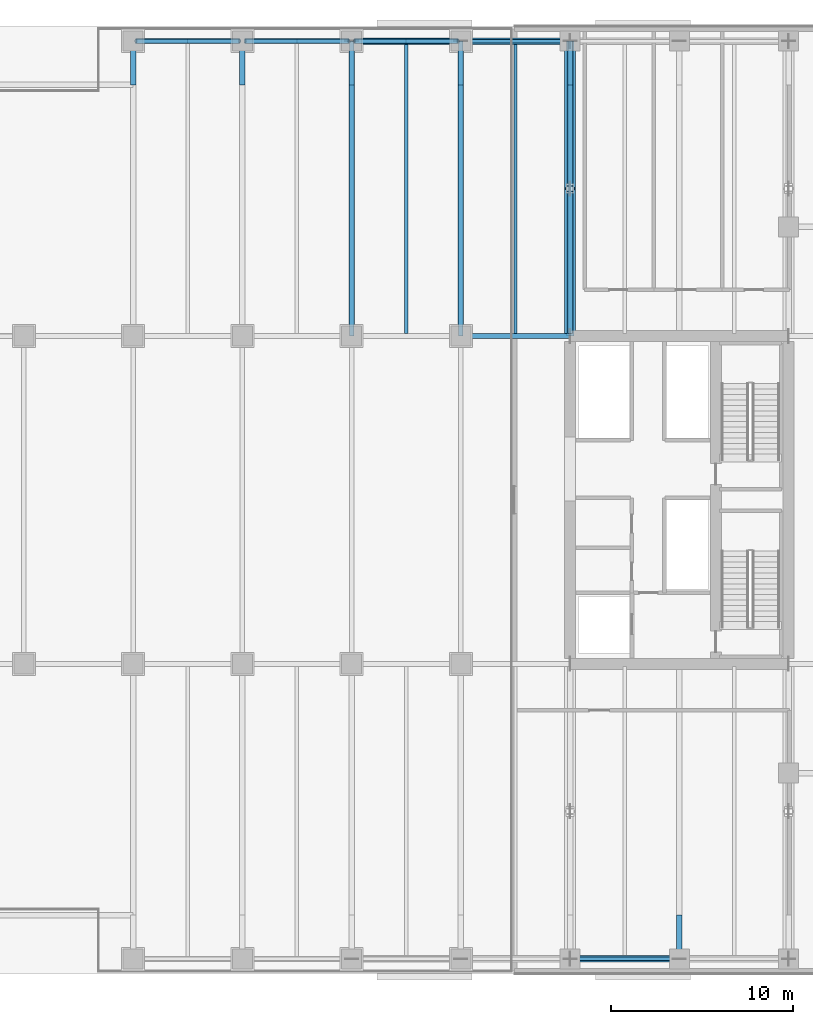
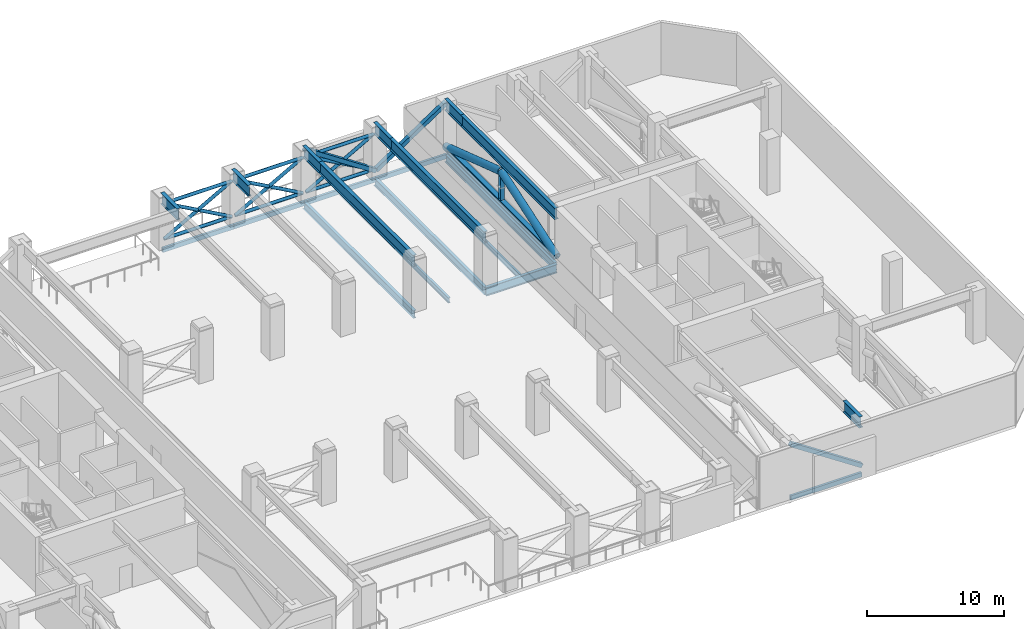
# One storey, part 5 of 22: 20 beams, 19 members.
"""IFC4 building model written with IfcOpenShell, lengths in metres."""

from ifc_helpers import new_model, si_unit, direction, frame, origin, origin_2d, place, context, subcontext, project, spatial, hollow_rectangle, hollow_circle, i_section, extrude, material, material_profile, profile_set, type_object, element, save


model = new_model("IFC4")

# Units and contexts
model_context = context("Model", 3, precision=1e-05, world=origin(), true_north=direction((0.0, 1.0)))
body_context = subcontext(model_context, "Body", "Model", "MODEL_VIEW")
ifc_project = project(units=[si_unit("LENGTHUNIT", "METRE"), si_unit("AREAUNIT", "SQUARE_METRE"), si_unit("VOLUMEUNIT", "CUBIC_METRE"), si_unit("PLANEANGLEUNIT", "RADIAN"), si_unit("MASSUNIT", "GRAM", prefix="KILO")], contexts=[model_context])

# Site, building, storey
site_placement = place(None, origin())
site = spatial("IfcSite", under=ifc_project, at=site_placement, CompositionType="ELEMENT")
building_placement = place(site_placement, origin())
building = spatial("IfcBuilding", under=site, at=building_placement, Name="Tanjung Sevakor Pilgrim Tower", CompositionType="ELEMENT")
storey_placement = place(building_placement, frame((0.0, 0.0, 73.260009765625)))
storey = spatial("IfcBuildingStorey", under=building, at=storey_placement, Name="L20", CompositionType="ELEMENT", Elevation=73.260009765625)

# Beams
ifc_material_1 = material(Name="Steel S355J2", Category="steel")
ifc_material_profile_1 = material_profile(ifc_material_1, i_section(OverallWidth=0.26806640625, OverallDepth=0.769775390625, WebThickness=0.015625, FlangeThickness=0.025390625, FilletRadius=0.0166015625, at=origin_2d()))
ifc_profile_set_1 = profile_set([ifc_material_profile_1], Name="Steel S355J2")
beam_type_1 = type_object("IfcBeamType", Name="BM-B-G1-UB_762x267x197", PredefinedType="BEAM", material=ifc_profile_set_1)
beam_1_placement = place(storey_placement, frame((72.0, 42.60009765625, -0.664794921875), z_axis=(1.0, 0.0, 0.0), x_axis=(0.0, 1.0, 0.0)))
element("IfcBeam", 1, at=beam_1_placement, inside=storey, type_object=beam_type_1, Name="L20 Primary Floor Girder MAIN Y426-08", PredefinedType="BEAM", context=body_context, shape_type="SweptSolid", body=[
    extrude(i_section(OverallWidth=0.26806640625, OverallDepth=0.769775390625, WebThickness=0.015625, FlangeThickness=0.025390625, FilletRadius=0.0166015625, at=origin_2d()), origin(), (0.0, 0.0, 1.0), 6.0),
])
ifc_material_2 = material(Name="Steel S355J2", Category="steel")
ifc_material_profile_2 = material_profile(ifc_material_2, i_section(OverallWidth=0.25439453125, OverallDepth=0.6875, WebThickness=0.01318359375, FlangeThickness=0.02099609375, FilletRadius=0.01513671875, at=origin_2d()))
ifc_profile_set_2 = profile_set([ifc_material_profile_2], Name="Steel S355J2")
beam_type_2 = type_object("IfcBeamType", Name="BM-B-G2-UB_686x254x152", PredefinedType="BEAM", material=ifc_profile_set_2)
for number, where, z_axis, x_axis, name in (
    (2, (66.0, 42.60009765625, -0.623779296875), (0.0, 1.0, 0.0), (-1.0, 0.0, 0.0), "L20 MAIN Girder 029"),
    (3, (72.0, 42.60009765625, -0.623779296875), (0.0, 1.0, 0.0), (-1.0, 0.0, 0.0), "L20 MAIN Girder 034"),
):
    element("IfcBeam", number, at=place(storey_placement, frame(where, z_axis=z_axis, x_axis=x_axis)), inside=storey, type_object=beam_type_2, Name=name, PredefinedType="BEAM", context=body_context, shape_type="SweptSolid", body=[
        extrude(i_section(OverallWidth=0.25439453125, OverallDepth=0.6875, WebThickness=0.01318359375, FlangeThickness=0.02099609375, FilletRadius=0.01513671875, at=origin_2d()), origin(), (0.0, 0.0, 1.0), 16.199951171875),
    ])
beam_2_placement = place(storey_placement, frame((78.0, 42.73388671875, -0.623779296875), z_axis=(0.0, 1.0, 0.0), x_axis=(-1.0, 0.0, 0.0)))
element("IfcBeam", 4, at=beam_2_placement, inside=storey, type_object=beam_type_2, Name="L20 MAIN Girder 038", PredefinedType="BEAM", context=body_context, shape_type="SweptSolid", body=[
    extrude(i_section(OverallWidth=0.25439453125, OverallDepth=0.6875, WebThickness=0.01318359375, FlangeThickness=0.02099609375, FilletRadius=0.01513671875, at=origin_2d()), origin(), (0.0, 0.0, 1.0), 16.066162109375),
])
ifc_material_3 = material(Name="Steel S460M", Category="steel")
ifc_material_profile_3 = material_profile(ifc_material_3, i_section(OverallWidth=0.302001953125, OverallDepth=1.008056640625, WebThickness=0.02099609375, FlangeThickness=0.0400390625, FilletRadius=0.030029296875, at=origin_2d()))
ifc_profile_set_3 = profile_set([ifc_material_profile_3], Name="Steel S460M")
beam_type_3 = type_object("IfcBeamType", Name="BM-B-G7-HE_1000M", PredefinedType="BEAM", material=ifc_profile_set_3)
for number, where, z_axis, x_axis, name in (
    (5, (54.0, 56.39990234375, 4.166015625), (0.0, 1.0, 0.0), (-1.0, 0.0, 0.0), "L20 Setback Transfer Girder North X54-2"),
    (6, (60.0, 56.39990234375, 4.166015625), (0.0, 1.0, 0.0), (-1.0, 0.0, 0.0), "L20 Setback Transfer Girder North X60-2"),
):
    element("IfcBeam", number, at=place(storey_placement, frame(where, z_axis=z_axis, x_axis=x_axis)), inside=storey, type_object=beam_type_3, Name=name, PredefinedType="BEAM", context=body_context, shape_type="SweptSolid", body=[
        extrude(i_section(OverallWidth=0.302001953125, OverallDepth=1.008056640625, WebThickness=0.02099609375, FlangeThickness=0.0400390625, FilletRadius=0.030029296875, at=origin_2d()), origin(), (0.0, 0.0, 1.0), 2.400146484375),
    ])
beam_3_placement = place(storey_placement, frame((66.0, 42.60009765625, 4.166015625), z_axis=(0.0, 1.0, 0.0), x_axis=(-1.0, 0.0, 0.0)))
element("IfcBeam", 7, at=beam_3_placement, inside=storey, type_object=beam_type_3, Name="L20 Setback Transfer Girder North X66-1", PredefinedType="BEAM", context=body_context, shape_type="SweptSolid", body=[
    extrude(i_section(OverallWidth=0.302001953125, OverallDepth=1.008056640625, WebThickness=0.02099609375, FlangeThickness=0.0400390625, FilletRadius=0.030029296875, at=origin_2d()), origin(), (0.0, 0.0, 1.0), 13.7998046875),
])
beam_4_placement = place(storey_placement, frame((66.0, 56.39990234375, 4.166015625), z_axis=(0.0, 1.0, 0.0), x_axis=(-1.0, 0.0, 0.0)))
element("IfcBeam", 8, at=beam_4_placement, inside=storey, type_object=beam_type_3, Name="L20 Setback Transfer Girder North X66-2", PredefinedType="BEAM", context=body_context, shape_type="SweptSolid", body=[
    extrude(i_section(OverallWidth=0.302001953125, OverallDepth=1.008056640625, WebThickness=0.02099609375, FlangeThickness=0.0400390625, FilletRadius=0.030029296875, at=origin_2d()), origin(), (0.0, 0.0, 1.0), 2.400146484375),
])
beam_5_placement = place(storey_placement, frame((72.0, 42.60009765625, 4.166015625), z_axis=(0.0, 1.0, 0.0), x_axis=(-1.0, 0.0, 0.0)))
element("IfcBeam", 9, at=beam_5_placement, inside=storey, type_object=beam_type_3, Name="L20 Setback Transfer Girder North X72-1", PredefinedType="BEAM", context=body_context, shape_type="SweptSolid", body=[
    extrude(i_section(OverallWidth=0.302001953125, OverallDepth=1.008056640625, WebThickness=0.02099609375, FlangeThickness=0.0400390625, FilletRadius=0.030029296875, at=origin_2d()), origin(), (0.0, 0.0, 1.0), 13.7998046875),
])
beam_6_placement = place(storey_placement, frame((72.0, 56.39990234375, 4.166015625), z_axis=(0.0, 1.0, 0.0), x_axis=(-1.0, 0.0, 0.0)))
element("IfcBeam", 10, at=beam_6_placement, inside=storey, type_object=beam_type_3, Name="L20 Setback Transfer Girder North X72-2", PredefinedType="BEAM", context=body_context, shape_type="SweptSolid", body=[
    extrude(i_section(OverallWidth=0.302001953125, OverallDepth=1.008056640625, WebThickness=0.02099609375, FlangeThickness=0.0400390625, FilletRadius=0.030029296875, at=origin_2d()), origin(), (0.0, 0.0, 1.0), 2.400146484375),
])
beam_7_placement = place(storey_placement, frame((78.0, 42.60009765625, 4.166015625), z_axis=(0.0, 1.0, 0.0), x_axis=(-1.0, 0.0, 0.0)))
element("IfcBeam", 11, at=beam_7_placement, inside=storey, type_object=beam_type_3, Name="L20 Setback Transfer Girder North X78-1", PredefinedType="BEAM", context=body_context, shape_type="SweptSolid", body=[
    extrude(i_section(OverallWidth=0.302001953125, OverallDepth=1.008056640625, WebThickness=0.02099609375, FlangeThickness=0.0400390625, FilletRadius=0.030029296875, at=origin_2d()), origin(), (0.0, 0.0, 1.0), 13.7998046875),
])
for number, where, z_axis, x_axis, name in (
    (12, (78.0, 56.39990234375, 4.166015625), (0.0, 1.0, 0.0), (-1.0, 0.0, 0.0), "L20 Setback Transfer Girder North X78-2"),
    (13, (84.0, 8.39990234375, 4.166015625), (0.0, 1.0, 0.0), (-1.0, 0.0, 0.0), "L20 Setback Transfer Girder South X84-1"),
):
    element("IfcBeam", number, at=place(storey_placement, frame(where, z_axis=z_axis, x_axis=x_axis)), inside=storey, type_object=beam_type_3, Name=name, PredefinedType="BEAM", context=body_context, shape_type="SweptSolid", body=[
        extrude(i_section(OverallWidth=0.302001953125, OverallDepth=1.008056640625, WebThickness=0.02099609375, FlangeThickness=0.0400390625, FilletRadius=0.030029296875, at=origin_2d()), origin(), (0.0, 0.0, 1.0), 2.400146484375),
    ])
ifc_material_4 = material(Name="Steel S355J2", Category="steel")
ifc_material_profile_4 = material_profile(ifc_material_4, i_section(OverallWidth=0.19140625, OverallDepth=0.4599609375, WebThickness=0.010009765625, FlangeThickness=0.01611328125, FilletRadius=0.01025390625, at=origin_2d()))
ifc_profile_set_4 = profile_set([ifc_material_profile_4], Name="Steel S355J2")
beam_type_4 = type_object("IfcBeamType", Name="BM-B-J2-UB_457x191x82", PredefinedType="JOIST", material=ifc_profile_set_4)
for number, where, z_axis, x_axis, name in (
    (14, (69.0, 42.73388671875, -0.510009765625), (0.0, 1.0, 0.0), (-1.0, 0.0, 0.0), "L20 MAIN Joist 031"),
    (15, (75.0, 42.73388671875, -0.510009765625), (0.0, 1.0, 0.0), (-1.0, 0.0, 0.0), "L20 MAIN Joist 036"),
):
    element("IfcBeam", number, at=place(storey_placement, frame(where, z_axis=z_axis, x_axis=x_axis)), inside=storey, type_object=beam_type_4, Name=name, PredefinedType="JOIST", context=body_context, shape_type="SweptSolid", body=[
        extrude(i_section(OverallWidth=0.19140625, OverallDepth=0.4599609375, WebThickness=0.010009765625, FlangeThickness=0.01611328125, FilletRadius=0.01025390625, at=origin_2d()), origin(), (0.0, 0.0, 1.0), 15.966064453125),
    ])
ifc_material_5 = material(Name="Steel S355J2", Category="steel")
ifc_material_profile_5 = material_profile(ifc_material_5, hollow_rectangle(XDim=0.199951171875, YDim=0.39990234375, WallThickness=0.01611328125, at=origin_2d()))
ifc_profile_set_5 = profile_set([ifc_material_profile_5], Name="Steel S355J2")
beam_type_5 = type_object("IfcBeamType", Name="BM-B-SP2-RHS_400x200x16", PredefinedType="SPANDREL", material=ifc_profile_set_5)
for number, where, z_axis, x_axis, name in (
    (16, (54.0, 58.800048828125, -0.47998046875), (1.0, 0.0, 0.0), (0.0, 1.0, 0.0), "L20 Spandrel MAIN N-08"),
    (17, (60.0, 58.800048828125, -0.47998046875), (1.0, 0.0, 0.0), (0.0, 1.0, 0.0), "L20 Spandrel MAIN N-10"),
    (18, (66.0, 58.800048828125, -0.47998046875), (1.0, 0.0, 0.0), (0.0, 1.0, 0.0), "L20 Spandrel MAIN N-12"),
    (19, (72.0, 58.800048828125, -0.47998046875), (1.0, 0.0, 0.0), (0.0, 1.0, 0.0), "L20 Spandrel MAIN N-14"),
    (20, (78.0, 8.39990234375, -0.47998046875), (1.0, 0.0, 0.0), (0.0, 1.0, 0.0), "L20 Spandrel MAIN S-15"),
):
    element("IfcBeam", number, at=place(storey_placement, frame(where, z_axis=z_axis, x_axis=x_axis)), inside=storey, type_object=beam_type_5, Name=name, PredefinedType="SPANDREL", context=body_context, shape_type="SweptSolid", body=[
        extrude(hollow_rectangle(XDim=0.199951171875, YDim=0.39990234375, WallThickness=0.01611328125, at=origin_2d()), origin(), (0.0, 0.0, 1.0), 6.0),
    ])

# Members
ifc_material_6 = material(Name="Steel S460M", Category="steel")
ifc_material_profile_6 = material_profile(ifc_material_6, hollow_circle(Radius=0.304931640625, WallThickness=0.030029296875, at=origin_2d()))
ifc_profile_set_6 = profile_set([ifc_material_profile_6], Name="Steel S460M")
member_type_1 = type_object("IfcMemberType", Name="MEM-M-BR2-CHS_610x30", PredefinedType="BRACE", material=ifc_profile_set_6)
member_1_placement = place(storey_placement, frame((78.0, 42.60009765625, 0.35009765625), z_axis=(0.0, 0.949034554742, 0.315172038585), x_axis=(-1.0, 0.0, 0.0)))
element("IfcMember", 21, at=member_1_placement, inside=storey, type_object=member_type_1, Name="OT-2 L20 Outrigger Truss Diagonal 1 X78 N", PredefinedType="BRACE", context=body_context, shape_type="SweptSolid", body=[
    extrude(hollow_circle(Radius=0.304931640625, WallThickness=0.030029296875, at=origin_2d()), origin(), (0.0, 0.0, 1.0), 8.534912109375),
])
member_2_placement = place(storey_placement, frame((78.0, 50.699951171875, 3.0400390625), z_axis=(0.0, 0.949037396078, -0.315163482729), x_axis=(-1.0, 0.0, 0.0)))
element("IfcMember", 22, at=member_2_placement, inside=storey, type_object=member_type_1, Name="OT-2 L20 Outrigger Truss Diagonal 2 X78 N", PredefinedType="BRACE", context=body_context, shape_type="SweptSolid", body=[
    extrude(hollow_circle(Radius=0.304931640625, WallThickness=0.030029296875, at=origin_2d()), origin(), (0.0, 0.0, 1.0), 8.53515625),
])
ifc_material_7 = material(Name="Steel S460M", Category="steel")
ifc_material_profile_7 = material_profile(ifc_material_7, hollow_rectangle(XDim=0.35009765625, YDim=0.35009765625, WallThickness=0.01611328125, at=origin_2d()))
ifc_profile_set_7 = profile_set([ifc_material_profile_7], Name="Steel S460M")
member_type_2 = type_object("IfcMemberType", Name="MEM-M-BR7-SHS_350x350x16", PredefinedType="BRACE", material=ifc_profile_set_7)
for number, where, z_axis, x_axis, name in (
    (23, (78.0, 8.39990234375, 4.3359375), (0.832956473164, 0.0, -0.553338516474), (0.0, 1.0, 0.0), "BT-1 L20 Belt Truss Diagonal Brace S-06"),
    (24, (66.0, 58.800048828125, 4.3359375), (0.832956473164, 0.0, -0.553338516474), (0.0, 1.0, 0.0), "BT-1 L20 Belt Truss Diagonal Brace N-04"),
    (25, (72.0, 58.800048828125, 0.35009765625), (0.832956473164, 0.0, 0.553338516474), (0.0, 1.0, 0.0), "BT-1 L20 Belt Truss Diagonal Brace N-05"),
):
    element("IfcMember", number, at=place(storey_placement, frame(where, z_axis=z_axis, x_axis=x_axis)), inside=storey, type_object=member_type_2, Name=name, PredefinedType="BRACE", context=body_context, shape_type="SweptSolid", body=[
        extrude(hollow_rectangle(XDim=0.35009765625, YDim=0.35009765625, WallThickness=0.01611328125, at=origin_2d()), origin(), (0.0, 0.0, 1.0), 7.203369140625),
    ])
ifc_material_8 = material(Name="Steel S460M", Category="steel")
ifc_material_profile_8 = material_profile(ifc_material_8, i_section(OverallWidth=0.41845703125, OverallDepth=0.45556640625, WebThickness=0.0419921875, FlangeThickness=0.0673828125, FilletRadius=0.01513671875, at=origin_2d()))
ifc_profile_set_8 = profile_set([ifc_material_profile_8], Name="Steel S460M")
member_type_3 = type_object("IfcMemberType", Name="MEM-M-CH2-UC_356x406x551", PredefinedType="CHORD", material=ifc_profile_set_8)
member_3_placement = place(storey_placement, frame((78.0, 42.60009765625, 0.35009765625), z_axis=(0.0, 1.0, 0.0), x_axis=(-1.0, 0.0, 0.0)))
element("IfcMember", 26, at=member_3_placement, inside=storey, type_object=member_type_3, Name="OT-1 L20 Outrigger Truss Chord X78 N", PredefinedType="CHORD", context=body_context, shape_type="SweptSolid", body=[
    extrude(i_section(OverallWidth=0.41845703125, OverallDepth=0.45556640625, WebThickness=0.0419921875, FlangeThickness=0.0673828125, FilletRadius=0.01513671875, at=origin_2d()), origin(), (0.0, 0.0, 1.0), 16.199951171875),
])
ifc_material_9 = material(Name="Steel S460M", Category="steel")
ifc_material_profile_9 = material_profile(ifc_material_9, i_section(OverallWidth=0.314453125, OverallDepth=0.33984375, WebThickness=0.01904296875, FlangeThickness=0.031494140625, FilletRadius=0.01513671875, at=origin_2d()))
ifc_profile_set_9 = profile_set([ifc_material_profile_9], Name="Steel S460M")
member_type_4 = type_object("IfcMemberType", Name="MEM-M-ST2-UC_305x305x198", PredefinedType="STRUT", material=ifc_profile_set_9)
member_4_placement = place(storey_placement, frame((78.0, 50.699951171875, 0.35009765625), z_axis=(0.0, 0.0, 1.0), x_axis=(1.0, 0.0, 0.0)))
element("IfcMember", 27, at=member_4_placement, inside=storey, type_object=member_type_4, Name="OT-3 L20 Outrigger Truss Strut X78 N", PredefinedType="STRUT", context=body_context, shape_type="SweptSolid", body=[
    extrude(i_section(OverallWidth=0.314453125, OverallDepth=0.33984375, WebThickness=0.01904296875, FlangeThickness=0.031494140625, FilletRadius=0.01513671875, at=origin_2d()), origin(), (0.0, 0.0, 1.0), 2.68994140625),
])
ifc_material_10 = material(Name="Steel S355J2", Category="steel")
ifc_material_profile_10 = material_profile(ifc_material_10, hollow_circle(Radius=0.136474609375, WallThickness=0.012451171875, at=origin_2d()))
ifc_profile_set_10 = profile_set([ifc_material_profile_10], Name="Steel S355J2")
member_type_5 = type_object("IfcMemberType", Name="TYPE-MB-TURBINE", PredefinedType="USERDEFINED", material=ifc_profile_set_10)
for number, where, z_axis, x_axis, name in (
    (28, (54.14990234375, 58.800048828125, 0.449951171875), (1.0, 0.0, 0.0), (0.0, 1.0, 0.0), "L20 Wind Turbine Shroud BOT WTURB-L20-N2"),
    (29, (54.14990234375, 58.800048828125, 3.619873046875), (1.0, 0.0, 0.0), (0.0, 1.0, 0.0), "L20 Wind Turbine Shroud TOP WTURB-L20-N2"),
):
    element("IfcMember", number, at=place(storey_placement, frame(where, z_axis=z_axis, x_axis=x_axis)), inside=storey, type_object=member_type_5, Name=name, ObjectType="TURBINE_FRAME", PredefinedType="USERDEFINED", context=body_context, shape_type="SweptSolid", body=[
        extrude(hollow_circle(Radius=0.136474609375, WallThickness=0.012451171875, at=origin_2d()), origin(), (0.0, 0.0, 1.0), 5.7001953125),
    ])
for number, where, z_axis, x_axis, name in (
    (30, (54.14990234375, 58.800048828125, 0.449951171875), (0.87395238411, 0.0, 0.486011553678), (0.0, 1.0, 0.0), "L20 Wind Turbine Shroud BL1 WTURB-L20-N2"),
    (31, (54.14990234375, 58.800048828125, 3.619873046875), (0.87395238411, 0.0, -0.486011553678), (0.0, 1.0, 0.0), "L20 Wind Turbine Shroud BL2 WTURB-L20-N2"),
):
    element("IfcMember", number, at=place(storey_placement, frame(where, z_axis=z_axis, x_axis=x_axis)), inside=storey, type_object=member_type_5, Name=name, ObjectType="TURBINE_FRAME", PredefinedType="USERDEFINED", context=body_context, shape_type="SweptSolid", body=[
        extrude(hollow_circle(Radius=0.136474609375, WallThickness=0.012451171875, at=origin_2d()), origin(), (0.0, 0.0, 1.0), 6.522216796875),
    ])
for number, where, z_axis, x_axis, name in (
    (32, (60.14990234375, 58.800048828125, 0.449951171875), (1.0, 0.0, 0.0), (0.0, 1.0, 0.0), "L20 Wind Turbine Shroud BOT WTURB-L20-N3"),
    (33, (60.14990234375, 58.800048828125, 3.619873046875), (1.0, 0.0, 0.0), (0.0, 1.0, 0.0), "L20 Wind Turbine Shroud TOP WTURB-L20-N3"),
):
    element("IfcMember", number, at=place(storey_placement, frame(where, z_axis=z_axis, x_axis=x_axis)), inside=storey, type_object=member_type_5, Name=name, ObjectType="TURBINE_FRAME", PredefinedType="USERDEFINED", context=body_context, shape_type="SweptSolid", body=[
        extrude(hollow_circle(Radius=0.136474609375, WallThickness=0.012451171875, at=origin_2d()), origin(), (0.0, 0.0, 1.0), 5.7001953125),
    ])
for number, where, z_axis, x_axis, name in (
    (34, (60.14990234375, 58.800048828125, 0.449951171875), (0.87395238411, 0.0, 0.486011553678), (0.0, 1.0, 0.0), "L20 Wind Turbine Shroud BL1 WTURB-L20-N3"),
    (35, (60.14990234375, 58.800048828125, 3.619873046875), (0.87395238411, 0.0, -0.486011553678), (0.0, 1.0, 0.0), "L20 Wind Turbine Shroud BL2 WTURB-L20-N3"),
):
    element("IfcMember", number, at=place(storey_placement, frame(where, z_axis=z_axis, x_axis=x_axis)), inside=storey, type_object=member_type_5, Name=name, ObjectType="TURBINE_FRAME", PredefinedType="USERDEFINED", context=body_context, shape_type="SweptSolid", body=[
        extrude(hollow_circle(Radius=0.136474609375, WallThickness=0.012451171875, at=origin_2d()), origin(), (0.0, 0.0, 1.0), 6.522216796875),
    ])
for number, where, z_axis, x_axis, name in (
    (36, (66.14990234375, 58.800048828125, 0.449951171875), (1.0, 0.0, 0.0), (0.0, 1.0, 0.0), "L20 Wind Turbine Shroud BOT WTURB-L20-N4"),
    (37, (66.14990234375, 58.800048828125, 3.619873046875), (1.0, 0.0, 0.0), (0.0, 1.0, 0.0), "L20 Wind Turbine Shroud TOP WTURB-L20-N4"),
):
    element("IfcMember", number, at=place(storey_placement, frame(where, z_axis=z_axis, x_axis=x_axis)), inside=storey, type_object=member_type_5, Name=name, ObjectType="TURBINE_FRAME", PredefinedType="USERDEFINED", context=body_context, shape_type="SweptSolid", body=[
        extrude(hollow_circle(Radius=0.136474609375, WallThickness=0.012451171875, at=origin_2d()), origin(), (0.0, 0.0, 1.0), 5.7001953125),
    ])
for number, where, z_axis, x_axis, name in (
    (38, (66.14990234375, 58.800048828125, 0.449951171875), (0.87395238411, 0.0, 0.486011553678), (0.0, 1.0, 0.0), "L20 Wind Turbine Shroud BL1 WTURB-L20-N4"),
    (39, (66.14990234375, 58.800048828125, 3.619873046875), (0.87395238411, 0.0, -0.486011553678), (0.0, 1.0, 0.0), "L20 Wind Turbine Shroud BL2 WTURB-L20-N4"),
):
    element("IfcMember", number, at=place(storey_placement, frame(where, z_axis=z_axis, x_axis=x_axis)), inside=storey, type_object=member_type_5, Name=name, ObjectType="TURBINE_FRAME", PredefinedType="USERDEFINED", context=body_context, shape_type="SweptSolid", body=[
        extrude(hollow_circle(Radius=0.136474609375, WallThickness=0.012451171875, at=origin_2d()), origin(), (0.0, 0.0, 1.0), 6.522216796875),
    ])

save(model, "model.ifc")
